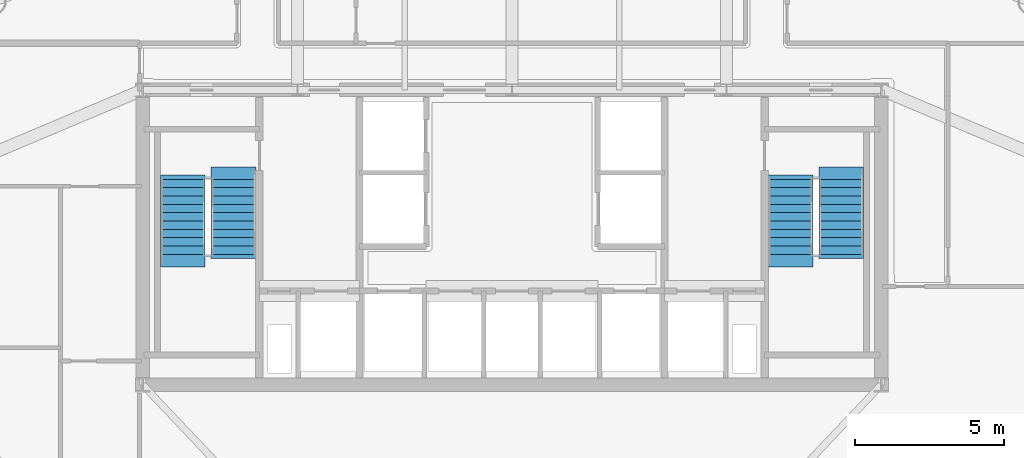
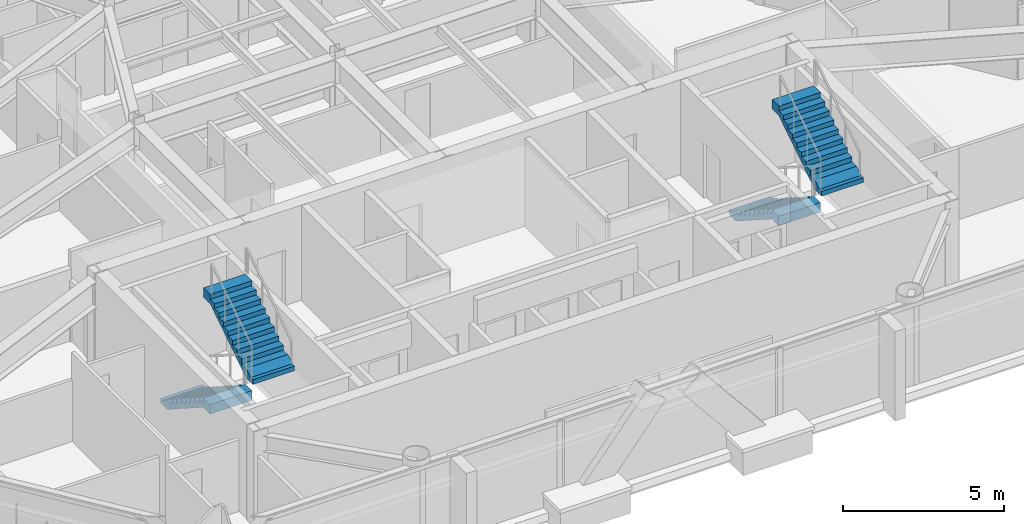
# One storey, part 9 of 11: 4 stair flights, 2 elements without a shape of their own.
"""IFC4 building model written with IfcOpenShell, lengths in metres."""

from ifc_helpers import new_model, si_unit, direction, frame, origin, place, context, subcontext, project, spatial, polyline, outline, extrude, material, layer, layer_set, type_object, element, aggregate, save


model = new_model("IFC4")

# Units and contexts
model_context = context("Model", 3, precision=1e-05, world=origin(), true_north=direction((0.0, 1.0)))
body_context = subcontext(model_context, "Body", "Model", "MODEL_VIEW")
ifc_project = project(units=[si_unit("LENGTHUNIT", "METRE"), si_unit("AREAUNIT", "SQUARE_METRE"), si_unit("VOLUMEUNIT", "CUBIC_METRE"), si_unit("PLANEANGLEUNIT", "RADIAN"), si_unit("MASSUNIT", "GRAM", prefix="KILO")], contexts=[model_context])

# Site, building, storey
site_placement = place(None, origin())
site = spatial("IfcSite", under=ifc_project, at=site_placement, CompositionType="ELEMENT")
building_placement = place(site_placement, origin())
building = spatial("IfcBuilding", under=site, at=building_placement, Name="Talgorran Terracotta Tower", CompositionType="ELEMENT")
storey_placement = place(building_placement, frame((0.0, 0.0, 72.0)))
storey = spatial("IfcBuildingStorey", under=building, at=storey_placement, Name="L18", CompositionType="ELEMENT", Elevation=72.0)

# Stair, stair flights
ifc_material = material(Name="Concrete C40/50", Category="concrete")
stair_type = type_object("IfcStairType", Name="ST_FIRE_SCISSOR", PredefinedType="HALF_TURN_STAIR", material=ifc_material)
stair_1_placement = place(storey_placement, origin())
stair_1 = element("IfcStair", 1, at=stair_1_placement, inside=storey, type_object=stair_type, Name="L18 West Protected Fire Stair ST-01", PredefinedType="HALF_TURN_STAIR")
ifc_layer = layer(ifc_material, 0.179931640625, Name="STF_RC_1500")
ifc_layer_set = layer_set([ifc_layer], Name="Concrete C40/50")
stair_flight_type = type_object("IfcStairFlightType", Name="STF_RC_1500", PredefinedType="STRAIGHT", material=ifc_layer_set)
stair_flight_1_placement = place(storey_placement, frame((-11.050048828125, -7.199951171875, 0.0), z_axis=(0.0, 0.0, 1.0), x_axis=(0.0, -1.0, 0.0)))
stair_flight_1 = element("IfcStairFlight", 2, at=stair_flight_1_placement, type_object=stair_flight_type, Name="ST-01 flight 1", NumberOfRisers=10, NumberOfTreads=9, PredefinedType="STRAIGHT", RiserHeight=0.18, TreadLength=0.28, context=body_context, shape_type="SweptSolid", body=[
    extrude(outline(polyline([(-0.139892578125, 0.0), (-0.139892578125, 0.179931640625), (0.0, 0.179931640625), (0.280029296875, 0.360107421875), (0.56005859375, 0.360107421875), (0.56005859375, 0.5400390625), (0.840087890625, 0.5400390625), (0.840087890625, 0.719970703125), (1.1201171875, 0.719970703125), (1.1201171875, 0.89990234375), (1.39990234375, 0.89990234375), (1.39990234375, 1.080078125), (1.679931640625, 1.080078125), (1.679931640625, 1.260009765625), (1.9599609375, 1.260009765625), (1.9599609375, 1.43994140625), (2.239990234375, 1.43994140625), (2.239990234375, 1.6201171875), (2.52001953125, 1.6201171875), (2.52001953125, 1.800048828125), (2.93994140625, 1.800048828125), (2.93994140625, 1.44189453125), (2.52001953125, 1.44189453125), (0.277099609375, 0.0), (-0.139892578125, 0.0)])), frame((0.0, 0.75, 0.0), z_axis=(0.0, -1.0, 0.0), x_axis=(1.0, 0.0, 0.0)), (0.0, 0.0, 1.0), 1.5),
])
stair_flight_2_placement = place(storey_placement, frame((-9.35009765625, -9.719970703125, 1.800048828125), z_axis=(0.0, 0.0, 1.0), x_axis=(0.0, 1.0, 0.0)))
stair_flight_2 = element("IfcStairFlight", 3, at=stair_flight_2_placement, type_object=stair_flight_type, Name="ST-01 flight 2", NumberOfRisers=10, NumberOfTreads=9, PredefinedType="STRAIGHT", RiserHeight=0.18, TreadLength=0.28, context=body_context, shape_type="SweptSolid", body=[
    extrude(outline(polyline([(-0.139892578125, 0.0), (-0.139892578125, 0.179931640625), (0.0, 0.179931640625), (0.280029296875, 0.360107421875), (0.56005859375, 0.360107421875), (0.56005859375, 0.5400390625), (0.840087890625, 0.5400390625), (0.840087890625, 0.719970703125), (1.1201171875, 0.719970703125), (1.1201171875, 0.89990234375), (1.39990234375, 0.89990234375), (1.39990234375, 1.080078125), (1.679931640625, 1.080078125), (1.679931640625, 1.260009765625), (1.9599609375, 1.260009765625), (1.9599609375, 1.43994140625), (2.239990234375, 1.43994140625), (2.239990234375, 1.6201171875), (2.52001953125, 1.6201171875), (2.52001953125, 1.800048828125), (2.93994140625, 1.800048828125), (2.93994140625, 1.44189453125), (2.52001953125, 1.44189453125), (0.277099609375, 0.0), (-0.139892578125, 0.0)])), frame((0.0, 0.75, 0.0), z_axis=(0.0, -1.0, 0.0), x_axis=(1.0, 0.0, 0.0)), (0.0, 0.0, 1.0), 1.5),
])
aggregate(stair_1, [stair_flight_1, stair_flight_2])

stair_2_placement = place(storey_placement, origin())
stair_2 = element("IfcStair", 4, at=stair_2_placement, inside=storey, type_object=stair_type, Name="L18 East Protected Fire Stair ST-02", PredefinedType="HALF_TURN_STAIR")
stair_flight_3_placement = place(storey_placement, frame((9.35009765625, -7.199951171875, 0.0), z_axis=(0.0, 0.0, 1.0), x_axis=(0.0, -1.0, 0.0)))
stair_flight_3 = element("IfcStairFlight", 5, at=stair_flight_3_placement, type_object=stair_flight_type, Name="ST-02 flight 1", NumberOfRisers=10, NumberOfTreads=9, PredefinedType="STRAIGHT", RiserHeight=0.18, TreadLength=0.28, context=body_context, shape_type="SweptSolid", body=[
    extrude(outline(polyline([(-0.139892578125, 0.0), (-0.139892578125, 0.179931640625), (0.0, 0.179931640625), (0.280029296875, 0.360107421875), (0.56005859375, 0.360107421875), (0.56005859375, 0.5400390625), (0.840087890625, 0.5400390625), (0.840087890625, 0.719970703125), (1.1201171875, 0.719970703125), (1.1201171875, 0.89990234375), (1.39990234375, 0.89990234375), (1.39990234375, 1.080078125), (1.679931640625, 1.080078125), (1.679931640625, 1.260009765625), (1.9599609375, 1.260009765625), (1.9599609375, 1.43994140625), (2.239990234375, 1.43994140625), (2.239990234375, 1.6201171875), (2.52001953125, 1.6201171875), (2.52001953125, 1.800048828125), (2.93994140625, 1.800048828125), (2.93994140625, 1.44189453125), (2.52001953125, 1.44189453125), (0.277099609375, 0.0), (-0.139892578125, 0.0)])), frame((0.0, 0.75, 0.0), z_axis=(0.0, -1.0, 0.0), x_axis=(1.0, 0.0, 0.0)), (0.0, 0.0, 1.0), 1.5),
])
stair_flight_4_placement = place(storey_placement, frame((11.050048828125, -9.719970703125, 1.800048828125), z_axis=(0.0, 0.0, 1.0), x_axis=(0.0, 1.0, 0.0)))
stair_flight_4 = element("IfcStairFlight", 6, at=stair_flight_4_placement, type_object=stair_flight_type, Name="ST-02 flight 2", NumberOfRisers=10, NumberOfTreads=9, PredefinedType="STRAIGHT", RiserHeight=0.18, TreadLength=0.28, context=body_context, shape_type="SweptSolid", body=[
    extrude(outline(polyline([(-0.139892578125, 0.0), (-0.139892578125, 0.179931640625), (0.0, 0.179931640625), (0.280029296875, 0.360107421875), (0.56005859375, 0.360107421875), (0.56005859375, 0.5400390625), (0.840087890625, 0.5400390625), (0.840087890625, 0.719970703125), (1.1201171875, 0.719970703125), (1.1201171875, 0.89990234375), (1.39990234375, 0.89990234375), (1.39990234375, 1.080078125), (1.679931640625, 1.080078125), (1.679931640625, 1.260009765625), (1.9599609375, 1.260009765625), (1.9599609375, 1.43994140625), (2.239990234375, 1.43994140625), (2.239990234375, 1.6201171875), (2.52001953125, 1.6201171875), (2.52001953125, 1.800048828125), (2.93994140625, 1.800048828125), (2.93994140625, 1.44189453125), (2.52001953125, 1.44189453125), (0.277099609375, 0.0), (-0.139892578125, 0.0)])), frame((0.0, 0.75, 0.0), z_axis=(0.0, -1.0, 0.0), x_axis=(1.0, 0.0, 0.0)), (0.0, 0.0, 1.0), 1.5),
])
aggregate(stair_2, [stair_flight_3, stair_flight_4])

save(model, "model.ifc")
